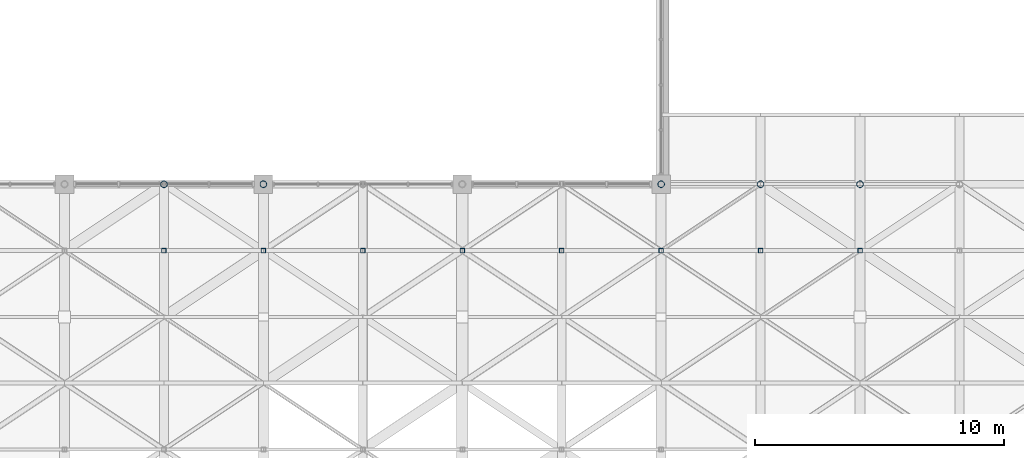
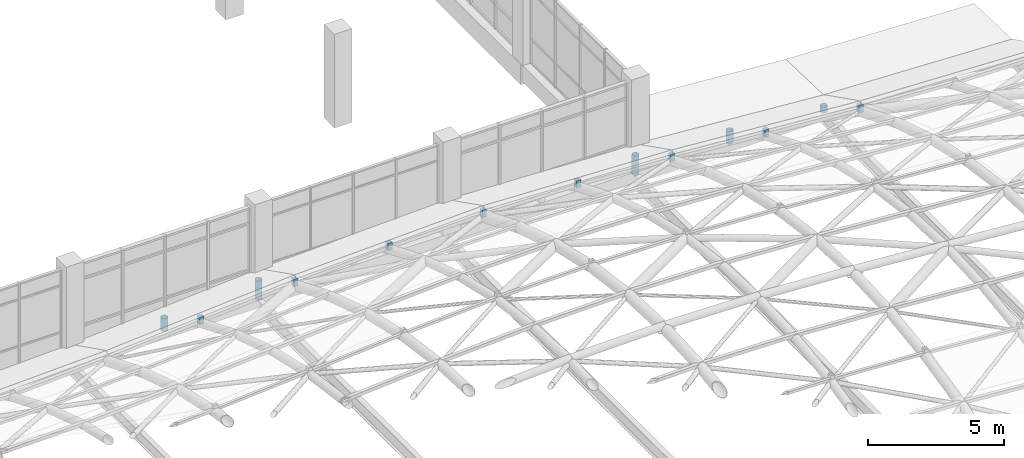
# One storey, part 45 of 72: 13 members.
"""IFC4 building model written with IfcOpenShell, lengths in metres."""

import ifcopenshell
import ifcopenshell.guid

model = None  # the IFC model being written
_history = None  # IfcOwnerHistory: only IFC2X3 demands one
_inside = {}  # id of a spatial element -> (the spatial element, [elements in it])
_under = {}  # id of a project, library or spatial element -> (it, [spatial elements below it])
_declared = {}  # id of a project -> (the project, [libraries it declares])
_typed = {}  # id of a type object -> (the type object, [elements of that type])
_made_of = {}  # id of a material, layer set ... -> (it, [elements and type objects made of it])


def new_model(schema):
    """Start an empty IFC model of exactly this schema.

    Asked for "IFC4X3", IfcOpenShell would pick the latest addendum, in which some entities
    have other attributes; the version numbers below select the first issue.
    IFC2X3 requires an IfcOwnerHistory on every rooted entity: one is made here for all.
    """
    global model, _history
    if schema == "IFC4X3":
        model = ifcopenshell.file(schema_version=(4, 3, 0, 0))
    else:
        model = ifcopenshell.file(schema=schema)
    _inside.clear()
    _under.clear()
    _declared.clear()
    _typed.clear()
    _made_of.clear()
    _history = None
    if model.schema == "IFC2X3":
        org = make("IfcOrganization", Name="unknown")
        user = make(
            "IfcPersonAndOrganization",
            ThePerson=make("IfcPerson", FamilyName="unknown"),
            TheOrganization=org,
        )
        app = make(
            "IfcApplication",
            ApplicationDeveloper=org,
            Version="unknown",
            ApplicationFullName="unknown",
            ApplicationIdentifier="unknown",
        )
        _history = make(
            "IfcOwnerHistory",
            OwningUser=user,
            OwningApplication=app,
            ChangeAction="ADDED",
            CreationDate=0,
        )
    return model


def make(cls, **values):
    """One entity of the class cls with the attributes given. An attribute that is None is left unset."""
    return model.create_entity(
        cls, **{name: value for name, value in values.items() if value is not None}
    )


def rooted(cls, **values):
    """An entity with a GlobalId (a new one), such as an element, a storey or a relation."""
    return make(cls, GlobalId=ifcopenshell.guid.new(), OwnerHistory=_history, **values)


def si_unit(unit_type, name, prefix=None):
    """IfcSIUnit, for example si_unit("LENGTHUNIT", "METRE", prefix="MILLI")."""
    return make("IfcSIUnit", UnitType=unit_type, Prefix=prefix, Name=name)


def assignment(units):
    """IfcUnitAssignment: the units of a project."""
    return None if units is None else make("IfcUnitAssignment", Units=units)


def point(xyz):
    """IfcCartesianPoint."""
    return None if xyz is None else make("IfcCartesianPoint", Coordinates=xyz)


def direction(xyz):
    """IfcDirection."""
    return None if xyz is None else make("IfcDirection", DirectionRatios=xyz)


def frame(location, z_axis=None, x_axis=None):
    """IfcAxis2Placement3D, a coordinate frame: its origin and axes. An axis left out is left unset."""
    return make(
        "IfcAxis2Placement3D",
        Location=point(location),
        Axis=direction(z_axis),
        RefDirection=direction(x_axis),
    )


def frame_2d(location, x_axis=None):
    """IfcAxis2Placement2D, a coordinate frame in the plane: its origin and x axis."""
    return make(
        "IfcAxis2Placement2D", Location=point(location), RefDirection=direction(x_axis)
    )


def origin():
    """The frame at (0, 0, 0) with its axes left unset."""
    return frame((0.0, 0.0, 0.0))


def origin_2d():
    """The frame at (0, 0) in the plane with its x axis left unset."""
    return frame_2d((0.0, 0.0))


def place(relative_to, where):
    """IfcLocalPlacement: puts the frame where relative to a parent placement (None: the world)."""
    return make(
        "IfcLocalPlacement", PlacementRelTo=relative_to, RelativePlacement=where
    )


def context(
    kind, dimensions, precision=None, world=None, true_north=None, identifier=None
):
    """IfcGeometricRepresentationContext, for example the 3D "Model" context."""
    return make(
        "IfcGeometricRepresentationContext",
        ContextIdentifier=identifier,
        ContextType=kind,
        CoordinateSpaceDimension=dimensions,
        Precision=precision,
        WorldCoordinateSystem=world,
        TrueNorth=true_north,
    )


def subcontext(parent, identifier, kind, view, scale=None):
    """IfcGeometricRepresentationSubContext, for example "Body" below "Model"."""
    return make(
        "IfcGeometricRepresentationSubContext",
        ContextIdentifier=identifier,
        ContextType=kind,
        ParentContext=parent,
        TargetScale=scale,
        TargetView=view,
    )


def project(units=None, contexts=None):
    """IfcProject with its units and contexts."""
    return rooted(
        "IfcProject",
        Name="project",
        RepresentationContexts=contexts,
        UnitsInContext=assignment(units),
    )


def spatial(cls, under=None, at=None, **own):
    """A site, building, storey or space (cls), placed at a placement, below another one or the project."""
    s = rooted(cls, ObjectPlacement=at, **own)
    if under is not None:
        _under.setdefault(under.id(), (under, []))[1].append(s)
    return s


def profile(cls, at=None, kind="AREA", **sizes):
    """A parametric profile (cls). Its sizes go by their IFC names, for example OverallWidth=200.0."""
    return make(cls, ProfileType=kind, Position=at, **sizes)


def hollow_rectangle(**sizes):
    """IfcRectangleHollowProfileDef."""
    return profile("IfcRectangleHollowProfileDef", **sizes)


def hollow_circle(**sizes):
    """IfcCircleHollowProfileDef."""
    return profile("IfcCircleHollowProfileDef", **sizes)


def extrude(swept, where, along, depth):
    """IfcExtrudedAreaSolid: the profile swept, set in the frame where, extruded along a direction by depth."""
    return make(
        "IfcExtrudedAreaSolid",
        SweptArea=swept,
        Position=where,
        ExtrudedDirection=direction(along),
        Depth=depth,
    )


def shape(context_of_items, identifier, shape_type, items):
    """IfcShapeRepresentation: the items that make up one representation, for example the "Body"."""
    return make(
        "IfcShapeRepresentation",
        ContextOfItems=context_of_items,
        RepresentationIdentifier=identifier,
        RepresentationType=shape_type,
        Items=items,
    )


def material(Name=None, Category=None):
    """IfcMaterial."""
    return make("IfcMaterial", Name=Name, Category=Category)


def material_profile(
    of_material, cross_section, Name=None, Category=None, Priority=None
):
    """IfcMaterialProfile: a cross section and its material."""
    return make(
        "IfcMaterialProfile",
        Name=Name,
        Material=of_material,
        Profile=cross_section,
        Priority=Priority,
        Category=Category,
    )


def profile_set(profiles, Name=None, composite=None):
    """IfcMaterialProfileSet."""
    return make(
        "IfcMaterialProfileSet",
        Name=Name,
        MaterialProfiles=profiles,
        CompositeProfile=composite,
    )


def made_of(thing, what):
    """Note that an element or type object is made of a material, layer set ...; save() writes the relation."""
    if what is not None:
        _made_of.setdefault(what.id(), (what, []))[1].append(thing)
    return thing


def type_object(cls, material=None, **own):
    """A type object (cls), such as IfcWallType, which elements share."""
    return made_of(rooted(cls, **own), material)


def element(
    cls,
    number,
    at=None,
    inside=None,
    cuts=None,
    type_object=None,
    material=None,
    context=None,
    identifier="Body",
    shape_type=None,
    held_by="IfcProductDefinitionShape",
    body=None,
    shapes=None,
    **own,
):
    """One element of the class cls, such as IfcWall. Its Tag is "e" and its number.

    at: its placement. inside: the storey or other place that contains it. cuts: it is an
    opening in that element (IfcRelVoidsElement). A single representation is given by context,
    identifier, shape_type and body (its items); several are given by shapes. held_by: the class
    of the entity that holds the representations. save() writes the other relations.
    """
    e = rooted(cls, Tag="e%d" % number, ObjectPlacement=at, **own)
    if body is not None:
        shapes = [shape(context, identifier, shape_type, body)]
    if shapes is not None:
        e.Representation = make(held_by, Representations=shapes)
    if inside is not None:
        _inside.setdefault(inside.id(), (inside, []))[1].append(e)
    if cuts is not None:
        rooted(
            "IfcRelVoidsElement", RelatingBuildingElement=cuts, RelatedOpeningElement=e
        )
    if type_object is not None:
        _typed.setdefault(type_object.id(), (type_object, []))[1].append(e)
    return made_of(e, material)


def aggregate(whole, parts):
    """IfcRelAggregates: a whole, such as a stair, and the parts it consists of."""
    return rooted("IfcRelAggregates", RelatingObject=whole, RelatedObjects=parts)


def save(model, path):
    """Write the relations noted so far, then the file.

    IfcRelAggregates (storeys below a building ...), IfcRelContainedInSpatialStructure (elements
    in a storey), IfcRelDefinesByType, IfcRelAssociatesMaterial and IfcRelDeclares: one each for
    every whole, place, type object, material and project.
    """
    for whole, parts in _under.values():
        aggregate(whole, parts)
    for where, things in _inside.values():
        rooted(
            "IfcRelContainedInSpatialStructure",
            RelatedElements=things,
            RelatingStructure=where,
        )
    for kind, things in _typed.values():
        rooted("IfcRelDefinesByType", RelatedObjects=things, RelatingType=kind)
    for what, things in _made_of.values():
        rooted("IfcRelAssociatesMaterial", RelatedObjects=things, RelatingMaterial=what)
    for by, libraries in _declared.values():
        rooted("IfcRelDeclares", RelatingContext=by, RelatedDefinitions=libraries)
    model.write(path)


model = new_model("IFC4")

# Units and contexts
model_context = context("Model", 3, precision=1e-05, world=origin(), true_north=direction((0.0, 1.0)))
body_context = subcontext(model_context, "Body", "Model", "MODEL_VIEW")
ifc_project = project(units=[si_unit("LENGTHUNIT", "METRE"), si_unit("AREAUNIT", "SQUARE_METRE"), si_unit("VOLUMEUNIT", "CUBIC_METRE"), si_unit("PLANEANGLEUNIT", "RADIAN"), si_unit("MASSUNIT", "GRAM", prefix="KILO")], contexts=[model_context])

# Site, building, storey
site_placement = place(None, origin())
site = spatial("IfcSite", under=ifc_project, at=site_placement, CompositionType="ELEMENT")
building_placement = place(site_placement, origin())
building = spatial("IfcBuilding", under=site, at=building_placement, Name="Tenunan Teduh Sports Hall", CompositionType="ELEMENT")
storey_placement = place(building_placement, frame((0.0, 0.0, 15.0)))
storey = spatial("IfcBuildingStorey", under=building, at=storey_placement, Name="L03", CompositionType="ELEMENT", Elevation=15.0)

# Members
ifc_material_1 = material(Name="Steel S355", Category="steel")
ifc_material_profile_1 = material_profile(ifc_material_1, hollow_circle(Radius=0.136474609375, WallThickness=0.010009765625, at=origin_2d()), Name="CHS 273.0x10.0")
ifc_profile_set_1 = profile_set([ifc_material_profile_1], Name="Steel S355")
member_type_1 = type_object("IfcMemberType", Name="MEM-ST-CHS273", PredefinedType="STRUT", material=ifc_profile_set_1)
member_1_placement = place(storey_placement, frame((134.0, 46.0, -0.35009765625), z_axis=(0.0, 0.0, 1.0), x_axis=(1.0, 0.0, 0.0)))
element("IfcMember", 1, at=member_1_placement, inside=storey, type_object=member_type_1, Name="MEM-VS-04-L03-0023", PredefinedType="STRUT", context=body_context, shape_type="SweptSolid", body=[
    extrude(hollow_circle(Radius=0.136474609375, WallThickness=0.010009765625, at=origin_2d()), origin(), (0.0, 0.0, 1.0), 0.57177734375),
])
for number, where, z_axis, x_axis, name in (
    (2, (138.0, 46.0, -0.35009765625), (0.0, 0.0, 1.0), (1.0, 0.0, 0.0), "MEM-VS-04-L03-0030"),
    (3, (154.0, 46.0, -0.35009765625), (0.0, 0.0, 1.0), (1.0, 0.0, 0.0), "MEM-VS-04-L03-0058"),
):
    element("IfcMember", number, at=place(storey_placement, frame(where, z_axis=z_axis, x_axis=x_axis)), inside=storey, type_object=member_type_1, Name=name, PredefinedType="STRUT", context=body_context, shape_type="SweptSolid", body=[
        extrude(hollow_circle(Radius=0.136474609375, WallThickness=0.010009765625, at=origin_2d()), origin(), (0.0, 0.0, 1.0), 0.86865234375),
    ])
member_2_placement = place(storey_placement, frame((158.0, 46.0, -0.35009765625), z_axis=(0.0, 0.0, 1.0), x_axis=(1.0, 0.0, 0.0)))
element("IfcMember", 4, at=member_2_placement, inside=storey, type_object=member_type_1, Name="MEM-VS-04-L03-0065", PredefinedType="STRUT", context=body_context, shape_type="SweptSolid", body=[
    extrude(hollow_circle(Radius=0.136474609375, WallThickness=0.010009765625, at=origin_2d()), origin(), (0.0, 0.0, 1.0), 0.57177734375),
])
member_3_placement = place(storey_placement, frame((162.0, 46.0, -0.35009765625), z_axis=(0.0, 0.0, 1.0), x_axis=(1.0, 0.0, 0.0)))
element("IfcMember", 5, at=member_3_placement, inside=storey, type_object=member_type_1, Name="MEM-VS-04-L03-0073", PredefinedType="STRUT", context=body_context, shape_type="SweptSolid", body=[
    extrude(hollow_circle(Radius=0.136474609375, WallThickness=0.010009765625, at=origin_2d()), origin(), (0.0, 0.0, 1.0), 0.27099609375),
])
ifc_material_2 = material(Name="Steel S355", Category="steel")
ifc_material_profile_2 = material_profile(ifc_material_2, hollow_rectangle(XDim=0.179931640625, YDim=0.179931640625, WallThickness=0.010009765625, at=origin_2d()), Name="SHS 180x180x10.0")
ifc_profile_set_2 = profile_set([ifc_material_profile_2], Name="Steel S355")
member_type_2 = type_object("IfcMemberType", Name="MEM-ST-SHS180", PredefinedType="STRUT", material=ifc_profile_set_2)
for number, where, z_axis, x_axis, name in (
    (6, (134.0, 43.333251953125, 1.5654296875), (0.0, 0.0, 1.0), (1.0, 0.0, 0.0), "MEM-VS-03-L03-0028"),
    (7, (138.0, 43.333251953125, 1.8623046875), (0.0, 0.0, 1.0), (1.0, 0.0, 0.0), "MEM-VS-03-L03-0035"),
    (8, (142.0, 43.333251953125, 2.0849609375), (0.0, 0.0, 1.0), (1.0, 0.0, 0.0), "MEM-VS-03-L03-0042"),
    (9, (146.0, 43.333251953125, 2.1630859375), (0.0, 0.0, 1.0), (1.0, 0.0, 0.0), "MEM-VS-03-L03-0049"),
    (10, (150.0, 43.333251953125, 2.0849609375), (0.0, 0.0, 1.0), (1.0, 0.0, 0.0), "MEM-VS-03-L03-0056"),
    (11, (154.0, 43.333251953125, 1.8623046875), (0.0, 0.0, 1.0), (1.0, 0.0, 0.0), "MEM-VS-03-L03-0063"),
    (12, (158.0, 43.333251953125, 1.5654296875), (0.0, 0.0, 1.0), (1.0, 0.0, 0.0), "MEM-VS-03-L03-0071"),
    (13, (162.0, 43.333251953125, 1.2646484375), (0.0, 0.0, 1.0), (1.0, 0.0, 0.0), "MEM-VS-03-L03-0079"),
):
    element("IfcMember", number, at=place(storey_placement, frame(where, z_axis=z_axis, x_axis=x_axis)), inside=storey, type_object=member_type_2, Name=name, PredefinedType="STRUT", context=body_context, shape_type="SweptSolid", body=[
        extrude(hollow_rectangle(XDim=0.179931640625, YDim=0.179931640625, WallThickness=0.010009765625, at=origin_2d()), origin(), (0.0, 0.0, 1.0), 0.329833984375),
    ])

save(model, "model.ifc")
